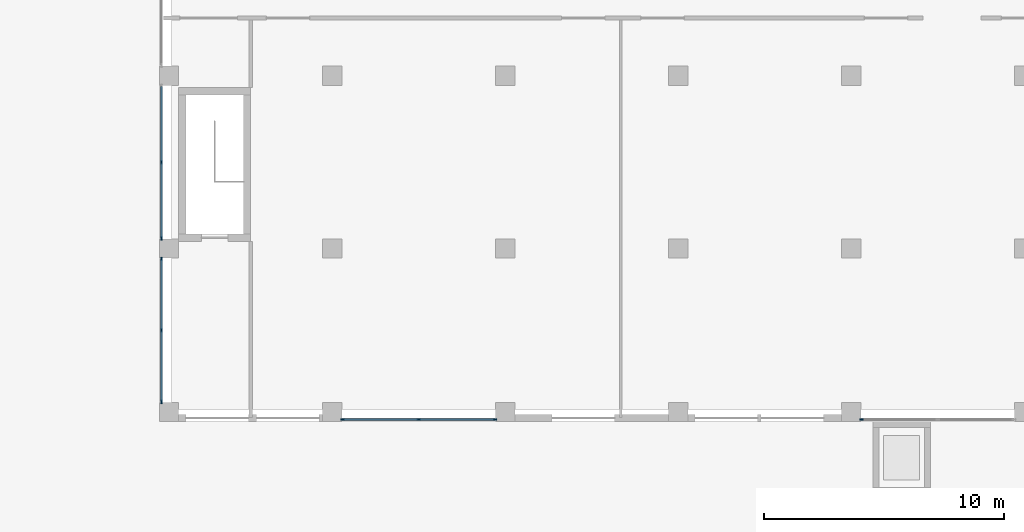
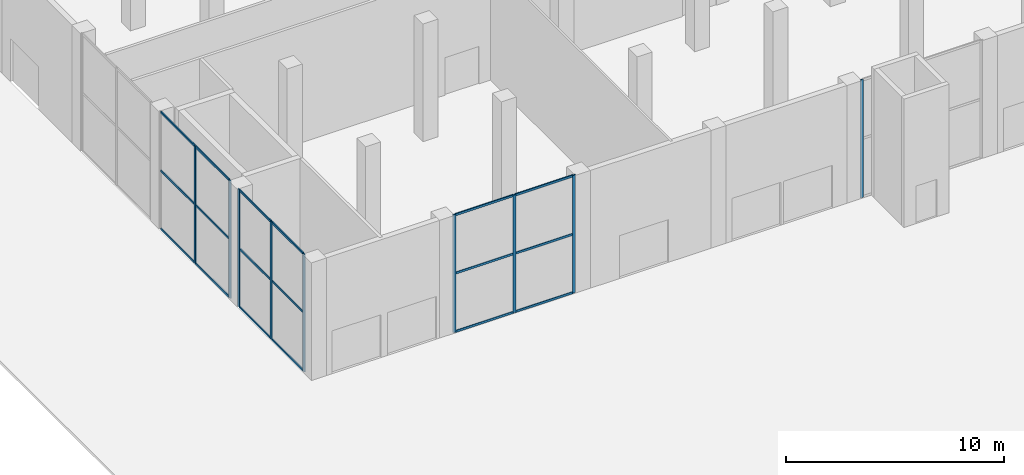
# One storey, part 4 of 44: 27 members, 4 elements without a shape of their own.
"""IFC4 building model written with IfcOpenShell, lengths in metres."""

from ifc_helpers import new_model, si_unit, direction, frame, origin, origin_2d, place, context, subcontext, project, spatial, rectangle, extrude, material, material_profile, profile_set, type_object, element, aggregate, save


model = new_model("IFC4")

# Units and contexts
model_context = context("Model", 3, precision=1e-05, world=origin(), true_north=direction((0.0, 1.0)))
body_context = subcontext(model_context, "Body", "Model", "MODEL_VIEW")
ifc_project = project(units=[si_unit("LENGTHUNIT", "METRE"), si_unit("AREAUNIT", "SQUARE_METRE"), si_unit("VOLUMEUNIT", "CUBIC_METRE"), si_unit("PLANEANGLEUNIT", "RADIAN"), si_unit("MASSUNIT", "GRAM", prefix="KILO")], contexts=[model_context])

# Site, building, storey
site_placement = place(None, origin())
site = spatial("IfcSite", under=ifc_project, at=site_placement, CompositionType="ELEMENT")
building_placement = place(site_placement, origin())
building = spatial("IfcBuilding", under=site, at=building_placement, Name="Fustian Cross Tower", CompositionType="ELEMENT")
storey_placement = place(building_placement, origin())
storey = spatial("IfcBuildingStorey", under=building, at=storey_placement, Name="L00", CompositionType="ELEMENT", Elevation=0.0)

# Curtain wall, members
ifc_material_1 = material(Name="Glass", Category="glass")
curtain_wall_type = type_object("IfcCurtainWallType", Name="CW3 CURTAIN WALL", PredefinedType="NOTDEFINED", material=ifc_material_1)
curtain_wall_1_placement = place(storey_placement, origin())
curtain_wall_1 = element("IfcCurtainWall", 1, at=curtain_wall_1_placement, inside=storey, type_object=curtain_wall_type, Name="Curtain wall CW3", PredefinedType="NOTDEFINED")
ifc_material_2 = material(Name="Aluminium alloy 6063", Category="aluminium")
ifc_material_profile_1 = material_profile(ifc_material_2, rectangle(XDim=0.06005859375, YDim=0.159912109375, at=origin_2d()), Name="CW3 MULLION 60x160")
ifc_profile_set_1 = profile_set([ifc_material_profile_1], Name="Aluminium alloy 6063")
member_type_1 = type_object("IfcMemberType", Name="CW3 MULLION 60x160", PredefinedType="MULLION", material=ifc_profile_set_1)
member_1_placement = place(storey_placement, frame((-42.77001953125, -50.320068359375, 0.0), z_axis=(0.0, 0.0, 1.0), x_axis=(0.0, 1.0, 0.0)))
member_1 = element("IfcMember", 2, at=member_1_placement, type_object=member_type_1, Name="CW3 mullion 1", PredefinedType="MULLION", context=body_context, shape_type="SweptSolid", body=[
    extrude(rectangle(XDim=0.06005859375, YDim=0.159912109375, at=origin_2d()), origin(), (0.0, 0.0, 1.0), 6.60009765625),
])
member_2_placement = place(storey_placement, frame((-39.60009765625, -50.320068359375, 0.0), z_axis=(0.0, 0.0, 1.0), x_axis=(0.0, 1.0, 0.0)))
member_2 = element("IfcMember", 3, at=member_2_placement, type_object=member_type_1, Name="CW3 mullion 2", PredefinedType="MULLION", context=body_context, shape_type="SweptSolid", body=[
    extrude(rectangle(XDim=0.06005859375, YDim=0.159912109375, at=origin_2d()), origin(), (0.0, 0.0, 1.0), 6.60009765625),
])
member_3_placement = place(storey_placement, frame((-36.429931640625, -50.320068359375, 0.0), z_axis=(0.0, 0.0, 1.0), x_axis=(0.0, 1.0, 0.0)))
member_3 = element("IfcMember", 4, at=member_3_placement, type_object=member_type_1, Name="CW3 mullion 3", PredefinedType="MULLION", context=body_context, shape_type="SweptSolid", body=[
    extrude(rectangle(XDim=0.06005859375, YDim=0.159912109375, at=origin_2d()), origin(), (0.0, 0.0, 1.0), 6.60009765625),
])

# Curtain wall, member
curtain_wall_2_placement = place(storey_placement, origin())
curtain_wall_2 = element("IfcCurtainWall", 5, at=curtain_wall_2_placement, inside=storey, type_object=curtain_wall_type, Name="Curtain wall CW3", PredefinedType="NOTDEFINED")
member_4_placement = place(storey_placement, frame((-21.169921875, -50.320068359375, 0.0), z_axis=(0.0, 0.0, 1.0), x_axis=(0.0, 1.0, 0.0)))
member_4 = element("IfcMember", 6, at=member_4_placement, type_object=member_type_1, Name="CW3 mullion 1", PredefinedType="MULLION", context=body_context, shape_type="SweptSolid", body=[
    extrude(rectangle(XDim=0.06005859375, YDim=0.159912109375, at=origin_2d()), origin(), (0.0, 0.0, 1.0), 6.60009765625),
])
aggregate(curtain_wall_2, [member_4])

# Curtain wall, members
curtain_wall_3_placement = place(storey_placement, origin())
curtain_wall_3 = element("IfcCurtainWall", 7, at=curtain_wall_3_placement, inside=storey, type_object=curtain_wall_type, Name="Curtain wall CW3", PredefinedType="NOTDEFINED")
member_5_placement = place(storey_placement, frame((-50.320068359375, -39.60009765625, 0.0), z_axis=(0.0, 0.0, 1.0), x_axis=(1.0, 0.0, 0.0)))
member_5 = element("IfcMember", 8, at=member_5_placement, type_object=member_type_1, Name="CW3 mullion 2", PredefinedType="MULLION", context=body_context, shape_type="SweptSolid", body=[
    extrude(rectangle(XDim=0.06005859375, YDim=0.159912109375, at=origin_2d()), origin(), (0.0, 0.0, 1.0), 6.60009765625),
])
member_6_placement = place(storey_placement, frame((-50.320068359375, -42.77001953125, 0.0), z_axis=(0.0, 0.0, 1.0), x_axis=(1.0, 0.0, 0.0)))
member_6 = element("IfcMember", 9, at=member_6_placement, type_object=member_type_1, Name="CW3 mullion 3", PredefinedType="MULLION", context=body_context, shape_type="SweptSolid", body=[
    extrude(rectangle(XDim=0.06005859375, YDim=0.159912109375, at=origin_2d()), origin(), (0.0, 0.0, 1.0), 6.60009765625),
])

curtain_wall_4_placement = place(storey_placement, origin())
curtain_wall_4 = element("IfcCurtainWall", 10, at=curtain_wall_4_placement, inside=storey, type_object=curtain_wall_type, Name="Curtain wall CW3", PredefinedType="NOTDEFINED")
member_7_placement = place(storey_placement, frame((-50.320068359375, -43.6298828125, 0.0), z_axis=(0.0, 0.0, 1.0), x_axis=(1.0, 0.0, 0.0)))
member_7 = element("IfcMember", 11, at=member_7_placement, type_object=member_type_1, Name="CW3 mullion 1", PredefinedType="MULLION", context=body_context, shape_type="SweptSolid", body=[
    extrude(rectangle(XDim=0.06005859375, YDim=0.159912109375, at=origin_2d()), origin(), (0.0, 0.0, 1.0), 6.60009765625),
])
member_8_placement = place(storey_placement, frame((-50.320068359375, -46.60009765625, 0.0), z_axis=(0.0, 0.0, 1.0), x_axis=(1.0, 0.0, 0.0)))
member_8 = element("IfcMember", 12, at=member_8_placement, type_object=member_type_1, Name="CW3 mullion 2", PredefinedType="MULLION", context=body_context, shape_type="SweptSolid", body=[
    extrude(rectangle(XDim=0.06005859375, YDim=0.159912109375, at=origin_2d()), origin(), (0.0, 0.0, 1.0), 6.60009765625),
])
member_9_placement = place(storey_placement, frame((-50.320068359375, -49.570068359375, 0.0), z_axis=(0.0, 0.0, 1.0), x_axis=(1.0, 0.0, 0.0)))
member_9 = element("IfcMember", 13, at=member_9_placement, type_object=member_type_1, Name="CW3 mullion 3", PredefinedType="MULLION", context=body_context, shape_type="SweptSolid", body=[
    extrude(rectangle(XDim=0.06005859375, YDim=0.159912109375, at=origin_2d()), origin(), (0.0, 0.0, 1.0), 6.60009765625),
])

# Member
ifc_material_3 = material(Name="Aluminium alloy 6063", Category="aluminium")
ifc_material_profile_2 = material_profile(ifc_material_3, rectangle(XDim=0.06005859375, YDim=0.1201171875, at=origin_2d()), Name="CW3 TRANSOM 60x120")
ifc_profile_set_2 = profile_set([ifc_material_profile_2], Name="Aluminium alloy 6063")
member_type_2 = type_object("IfcMemberType", Name="CW3 TRANSOM 60x120", PredefinedType="USERDEFINED", material=ifc_profile_set_2)
member_10_placement = place(storey_placement, frame((-42.739990234375, -50.320068359375, 0.030029296875), z_axis=(1.0, 0.0, 0.0), x_axis=(0.0, 1.0, 0.0)))
member_10 = element("IfcMember", 14, at=member_10_placement, type_object=member_type_2, Name="CW3 transom 1.1", ObjectType="TRANSOM", PredefinedType="USERDEFINED", context=body_context, shape_type="SweptSolid", body=[
    extrude(rectangle(XDim=0.06005859375, YDim=0.1201171875, at=origin_2d()), origin(), (0.0, 0.0, 1.0), 3.110107421875),
])

member_11_placement = place(storey_placement, frame((-42.739990234375, -50.320068359375, 3.300048828125), z_axis=(1.0, 0.0, 0.0), x_axis=(0.0, 1.0, 0.0)))
member_11 = element("IfcMember", 15, at=member_11_placement, type_object=member_type_2, Name="CW3 transom 1.2", ObjectType="TRANSOM", PredefinedType="USERDEFINED", context=body_context, shape_type="SweptSolid", body=[
    extrude(rectangle(XDim=0.06005859375, YDim=0.1201171875, at=origin_2d()), origin(), (0.0, 0.0, 1.0), 3.110107421875),
])

member_12_placement = place(storey_placement, frame((-42.739990234375, -50.320068359375, 6.570068359375), z_axis=(1.0, 0.0, 0.0), x_axis=(0.0, 1.0, 0.0)))
member_12 = element("IfcMember", 16, at=member_12_placement, type_object=member_type_2, Name="CW3 transom 1.3", ObjectType="TRANSOM", PredefinedType="USERDEFINED", context=body_context, shape_type="SweptSolid", body=[
    extrude(rectangle(XDim=0.06005859375, YDim=0.1201171875, at=origin_2d()), origin(), (0.0, 0.0, 1.0), 3.110107421875),
])

member_13_placement = place(storey_placement, frame((-39.570068359375, -50.320068359375, 0.030029296875), z_axis=(1.0, 0.0, 0.0), x_axis=(0.0, 1.0, 0.0)))
member_13 = element("IfcMember", 17, at=member_13_placement, type_object=member_type_2, Name="CW3 transom 2.1", ObjectType="TRANSOM", PredefinedType="USERDEFINED", context=body_context, shape_type="SweptSolid", body=[
    extrude(rectangle(XDim=0.06005859375, YDim=0.1201171875, at=origin_2d()), origin(), (0.0, 0.0, 1.0), 3.110107421875),
])

member_14_placement = place(storey_placement, frame((-39.570068359375, -50.320068359375, 3.300048828125), z_axis=(1.0, 0.0, 0.0), x_axis=(0.0, 1.0, 0.0)))
member_14 = element("IfcMember", 18, at=member_14_placement, type_object=member_type_2, Name="CW3 transom 2.2", ObjectType="TRANSOM", PredefinedType="USERDEFINED", context=body_context, shape_type="SweptSolid", body=[
    extrude(rectangle(XDim=0.06005859375, YDim=0.1201171875, at=origin_2d()), origin(), (0.0, 0.0, 1.0), 3.110107421875),
])

member_15_placement = place(storey_placement, frame((-39.570068359375, -50.320068359375, 6.570068359375), z_axis=(1.0, 0.0, 0.0), x_axis=(0.0, 1.0, 0.0)))
member_15 = element("IfcMember", 19, at=member_15_placement, type_object=member_type_2, Name="CW3 transom 2.3", ObjectType="TRANSOM", PredefinedType="USERDEFINED", context=body_context, shape_type="SweptSolid", body=[
    extrude(rectangle(XDim=0.06005859375, YDim=0.1201171875, at=origin_2d()), origin(), (0.0, 0.0, 1.0), 3.110107421875),
])

aggregate(curtain_wall_1, [member_1, member_2, member_3, member_10, member_11, member_12, member_13, member_14, member_15])

member_16_placement = place(storey_placement, frame((-50.320068359375, -36.4599609375, 0.030029296875), z_axis=(0.0, -1.0, 0.0), x_axis=(1.0, 0.0, 0.0)))
member_16 = element("IfcMember", 20, at=member_16_placement, type_object=member_type_2, Name="CW3 transom 1.1", ObjectType="TRANSOM", PredefinedType="USERDEFINED", context=body_context, shape_type="SweptSolid", body=[
    extrude(rectangle(XDim=0.06005859375, YDim=0.1201171875, at=origin_2d()), origin(), (0.0, 0.0, 1.0), 3.110107421875),
])

member_17_placement = place(storey_placement, frame((-50.320068359375, -36.4599609375, 3.300048828125), z_axis=(0.0, -1.0, 0.0), x_axis=(1.0, 0.0, 0.0)))
member_17 = element("IfcMember", 21, at=member_17_placement, type_object=member_type_2, Name="CW3 transom 1.2", ObjectType="TRANSOM", PredefinedType="USERDEFINED", context=body_context, shape_type="SweptSolid", body=[
    extrude(rectangle(XDim=0.06005859375, YDim=0.1201171875, at=origin_2d()), origin(), (0.0, 0.0, 1.0), 3.110107421875),
])

member_18_placement = place(storey_placement, frame((-50.320068359375, -36.4599609375, 6.570068359375), z_axis=(0.0, -1.0, 0.0), x_axis=(1.0, 0.0, 0.0)))
member_18 = element("IfcMember", 22, at=member_18_placement, type_object=member_type_2, Name="CW3 transom 1.3", ObjectType="TRANSOM", PredefinedType="USERDEFINED", context=body_context, shape_type="SweptSolid", body=[
    extrude(rectangle(XDim=0.06005859375, YDim=0.1201171875, at=origin_2d()), origin(), (0.0, 0.0, 1.0), 3.110107421875),
])

member_19_placement = place(storey_placement, frame((-50.320068359375, -39.6298828125, 0.030029296875), z_axis=(0.0, -1.0, 0.0), x_axis=(1.0, 0.0, 0.0)))
member_19 = element("IfcMember", 23, at=member_19_placement, type_object=member_type_2, Name="CW3 transom 2.1", ObjectType="TRANSOM", PredefinedType="USERDEFINED", context=body_context, shape_type="SweptSolid", body=[
    extrude(rectangle(XDim=0.06005859375, YDim=0.1201171875, at=origin_2d()), origin(), (0.0, 0.0, 1.0), 3.110107421875),
])

member_20_placement = place(storey_placement, frame((-50.320068359375, -39.6298828125, 3.300048828125), z_axis=(0.0, -1.0, 0.0), x_axis=(1.0, 0.0, 0.0)))
member_20 = element("IfcMember", 24, at=member_20_placement, type_object=member_type_2, Name="CW3 transom 2.2", ObjectType="TRANSOM", PredefinedType="USERDEFINED", context=body_context, shape_type="SweptSolid", body=[
    extrude(rectangle(XDim=0.06005859375, YDim=0.1201171875, at=origin_2d()), origin(), (0.0, 0.0, 1.0), 3.110107421875),
])

member_21_placement = place(storey_placement, frame((-50.320068359375, -39.6298828125, 6.570068359375), z_axis=(0.0, -1.0, 0.0), x_axis=(1.0, 0.0, 0.0)))
member_21 = element("IfcMember", 25, at=member_21_placement, type_object=member_type_2, Name="CW3 transom 2.3", ObjectType="TRANSOM", PredefinedType="USERDEFINED", context=body_context, shape_type="SweptSolid", body=[
    extrude(rectangle(XDim=0.06005859375, YDim=0.1201171875, at=origin_2d()), origin(), (0.0, 0.0, 1.0), 3.110107421875),
])

aggregate(curtain_wall_3, [member_5, member_6, member_16, member_17, member_18, member_19, member_20, member_21])

member_22_placement = place(storey_placement, frame((-50.320068359375, -43.659912109375, 0.030029296875), z_axis=(0.0, -1.0, 0.0), x_axis=(1.0, 0.0, 0.0)))
member_22 = element("IfcMember", 26, at=member_22_placement, type_object=member_type_2, Name="CW3 transom 1.1", ObjectType="TRANSOM", PredefinedType="USERDEFINED", context=body_context, shape_type="SweptSolid", body=[
    extrude(rectangle(XDim=0.06005859375, YDim=0.1201171875, at=origin_2d()), origin(), (0.0, 0.0, 1.0), 2.91015625),
])

member_23_placement = place(storey_placement, frame((-50.320068359375, -43.659912109375, 3.300048828125), z_axis=(0.0, -1.0, 0.0), x_axis=(1.0, 0.0, 0.0)))
member_23 = element("IfcMember", 27, at=member_23_placement, type_object=member_type_2, Name="CW3 transom 1.2", ObjectType="TRANSOM", PredefinedType="USERDEFINED", context=body_context, shape_type="SweptSolid", body=[
    extrude(rectangle(XDim=0.06005859375, YDim=0.1201171875, at=origin_2d()), origin(), (0.0, 0.0, 1.0), 2.91015625),
])

member_24_placement = place(storey_placement, frame((-50.320068359375, -43.659912109375, 6.570068359375), z_axis=(0.0, -1.0, 0.0), x_axis=(1.0, 0.0, 0.0)))
member_24 = element("IfcMember", 28, at=member_24_placement, type_object=member_type_2, Name="CW3 transom 1.3", ObjectType="TRANSOM", PredefinedType="USERDEFINED", context=body_context, shape_type="SweptSolid", body=[
    extrude(rectangle(XDim=0.06005859375, YDim=0.1201171875, at=origin_2d()), origin(), (0.0, 0.0, 1.0), 2.91015625),
])

member_25_placement = place(storey_placement, frame((-50.320068359375, -46.6298828125, 0.030029296875), z_axis=(0.0, -1.0, 0.0), x_axis=(1.0, 0.0, 0.0)))
member_25 = element("IfcMember", 29, at=member_25_placement, type_object=member_type_2, Name="CW3 transom 2.1", ObjectType="TRANSOM", PredefinedType="USERDEFINED", context=body_context, shape_type="SweptSolid", body=[
    extrude(rectangle(XDim=0.06005859375, YDim=0.1201171875, at=origin_2d()), origin(), (0.0, 0.0, 1.0), 2.91015625),
])

member_26_placement = place(storey_placement, frame((-50.320068359375, -46.6298828125, 3.300048828125), z_axis=(0.0, -1.0, 0.0), x_axis=(1.0, 0.0, 0.0)))
member_26 = element("IfcMember", 30, at=member_26_placement, type_object=member_type_2, Name="CW3 transom 2.2", ObjectType="TRANSOM", PredefinedType="USERDEFINED", context=body_context, shape_type="SweptSolid", body=[
    extrude(rectangle(XDim=0.06005859375, YDim=0.1201171875, at=origin_2d()), origin(), (0.0, 0.0, 1.0), 2.91015625),
])

member_27_placement = place(storey_placement, frame((-50.320068359375, -46.6298828125, 6.570068359375), z_axis=(0.0, -1.0, 0.0), x_axis=(1.0, 0.0, 0.0)))
member_27 = element("IfcMember", 31, at=member_27_placement, type_object=member_type_2, Name="CW3 transom 2.3", ObjectType="TRANSOM", PredefinedType="USERDEFINED", context=body_context, shape_type="SweptSolid", body=[
    extrude(rectangle(XDim=0.06005859375, YDim=0.1201171875, at=origin_2d()), origin(), (0.0, 0.0, 1.0), 2.91015625),
])

aggregate(curtain_wall_4, [member_7, member_8, member_9, member_22, member_23, member_24, member_25, member_26, member_27])

save(model, "model.ifc")
